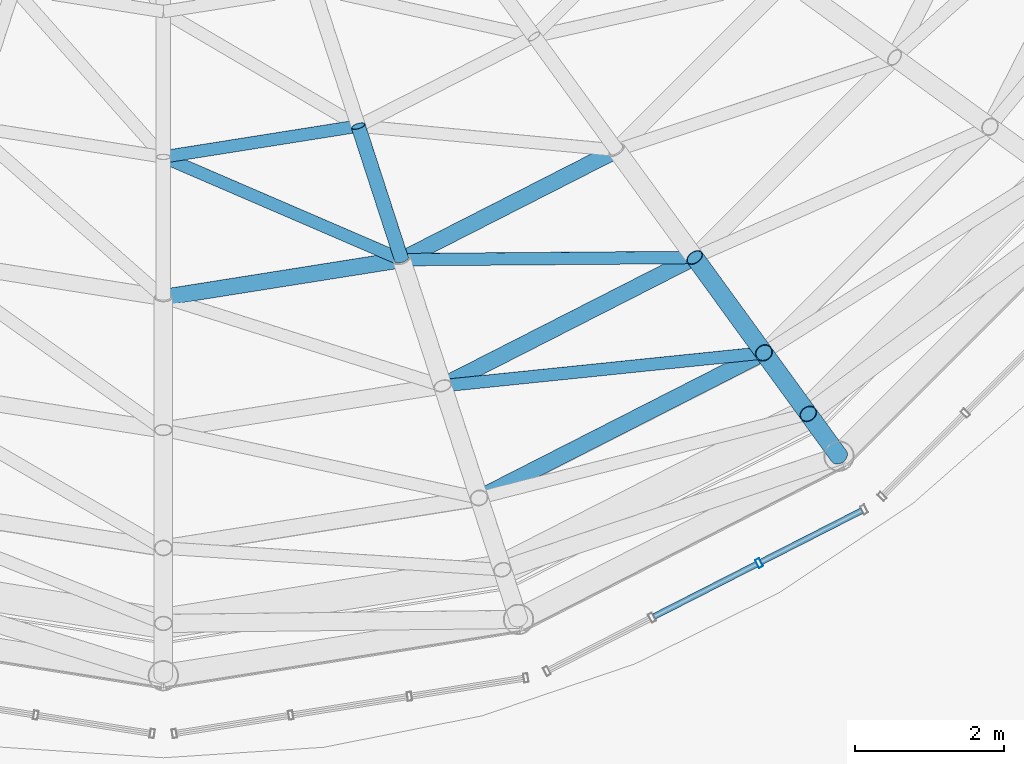
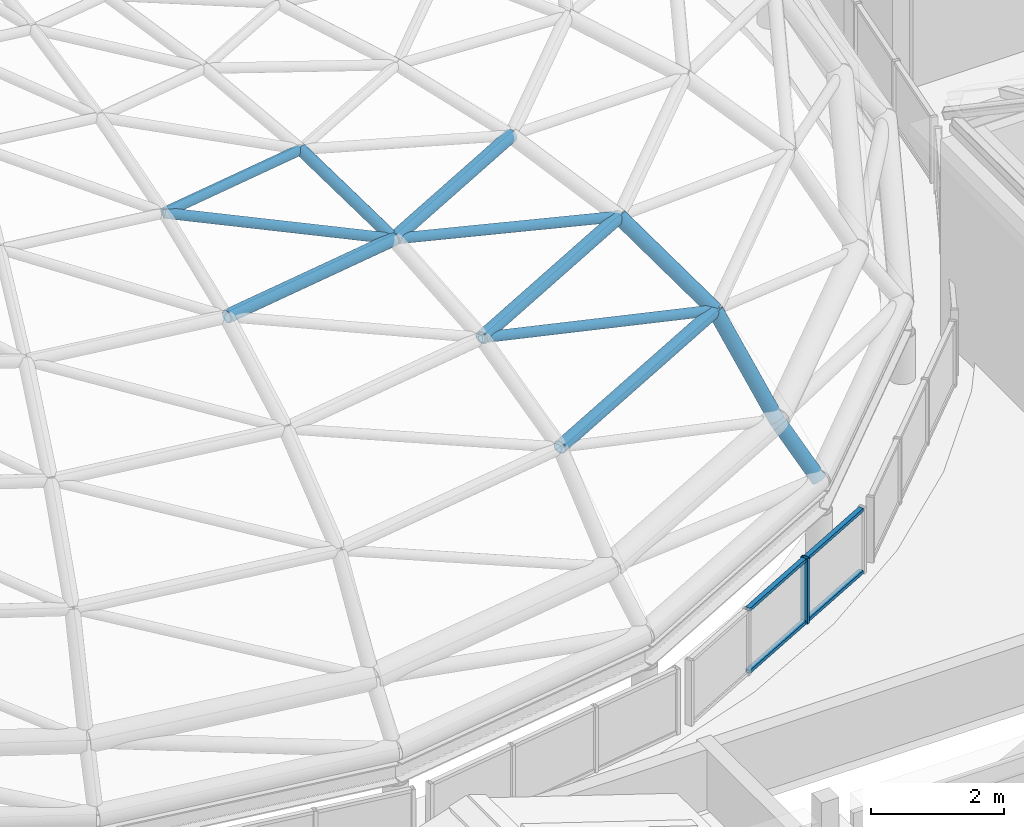
# One storey, part 19 of 69: 17 members, 1 element without a shape of its own.
"""IFC4 building model written with IfcOpenShell, lengths in metres."""

from ifc_helpers import new_model, si_unit, direction, frame, origin, origin_2d, place, context, subcontext, project, spatial, hollow_rectangle, hollow_circle, extrude, material, layer, layer_set, material_profile, profile_set, type_object, element, aggregate, save


model = new_model("IFC4")

# Units and contexts
model_context = context("Model", 3, precision=1e-05, world=origin(), true_north=direction((0.0, 1.0)))
body_context = subcontext(model_context, "Body", "Model", "MODEL_VIEW")
ifc_project = project(units=[si_unit("LENGTHUNIT", "METRE"), si_unit("AREAUNIT", "SQUARE_METRE"), si_unit("VOLUMEUNIT", "CUBIC_METRE"), si_unit("PLANEANGLEUNIT", "RADIAN"), si_unit("MASSUNIT", "GRAM", prefix="KILO")], contexts=[model_context])

# Site, building, storey
site_placement = place(None, origin())
site = spatial("IfcSite", under=ifc_project, at=site_placement, CompositionType="ELEMENT")
building_placement = place(site_placement, origin())
building = spatial("IfcBuilding", under=site, at=building_placement, Name="Kallimachos Central Library", CompositionType="ELEMENT")
storey_placement = place(building_placement, frame((0.0, 0.0, 23.39990234375)))
storey = spatial("IfcBuildingStorey", under=building, at=storey_placement, Name="L05", CompositionType="ELEMENT", Elevation=23.39990234375)

# Members
ifc_material_1 = material(Name="Steel S355J2H", Category="steel")
ifc_material_profile_1 = material_profile(ifc_material_1, hollow_circle(Radius=0.084228515625, WallThickness=0.008056640625, at=origin_2d()), Name="CHS 168.3x8")
ifc_profile_set_1 = profile_set([ifc_material_profile_1], Name="Steel S355J2H")
member_type_1 = type_object("IfcMemberType", Name="CHS 168.3x8 dome diagonal", PredefinedType="BRACE", material=ifc_profile_set_1)
member_1_placement = place(storey_placement, frame((88.0, 95.94970703125, 7.008544921875), z_axis=(0.89711828597, -0.386752783017, -0.213544060577), x_axis=(0.395884478525, 0.918300321062, 0.0)))
element("IfcMember", 1, at=member_1_placement, inside=storey, type_object=member_type_1, Name="Dome diagonal DD-3-15", PredefinedType="BRACE", context=body_context, shape_type="SweptSolid", body=[
    extrude(hollow_circle(Radius=0.084228515625, WallThickness=0.008056640625, at=origin_2d()), origin(), (0.0, 0.0, 1.0), 3.55908203125),
])
member_2_placement = place(storey_placement, frame((91.19287109375, 94.5732421875, 6.24853515625), z_axis=(0.970172108515, 0.007483288222, -0.242301630735), x_axis=(-0.007713132086, 0.999970253354, 0.0)))
element("IfcMember", 2, at=member_2_placement, inside=storey, type_object=member_type_1, Name="Dome diagonal DD-4-16", PredefinedType="BRACE", context=body_context, shape_type="SweptSolid", body=[
    extrude(hollow_circle(Radius=0.084228515625, WallThickness=0.008056640625, at=origin_2d()), origin(), (0.0, 0.0, 1.0), 4.04541015625),
])
member_3_placement = place(storey_placement, frame((91.741943359375, 92.883544921875, 5.268310546875), z_axis=(0.954541770957, 0.097939201614, -0.281527832169), x_axis=(-0.102067520228, 0.994777473265, 0.0)))
element("IfcMember", 3, at=member_3_placement, inside=storey, type_object=member_type_1, Name="Dome diagonal DD-5-16", PredefinedType="BRACE", context=body_context, shape_type="SweptSolid", body=[
    extrude(hollow_circle(Radius=0.084228515625, WallThickness=0.008056640625, at=origin_2d()), origin(), (0.0, 0.0, 1.0), 4.509521484375),
])
ifc_material_2 = material(Name="Steel S355J2H", Category="steel")
ifc_material_profile_2 = material_profile(ifc_material_2, hollow_circle(Radius=0.084228515625, WallThickness=0.008056640625, at=origin_2d()), Name="CHS 168.3x8")
ifc_profile_set_2 = profile_set([ifc_material_profile_2], Name="Steel S355J2H")
member_type_2 = type_object("IfcMemberType", Name="CHS 168.3x8 dome ring", PredefinedType="PURLIN", material=ifc_profile_set_2)
member_4_placement = place(storey_placement, frame((88.0, 95.94970703125, 7.008544921875), z_axis=(0.987689481603, 0.15642726083, 0.0), x_axis=(-0.15642726083, 0.987689481603, 0.0)))
element("IfcMember", 4, at=member_4_placement, inside=storey, type_object=member_type_2, Name="Dome ring DN-3-15", PredefinedType="PURLIN", context=body_context, shape_type="SweptSolid", body=[
    extrude(hollow_circle(Radius=0.084228515625, WallThickness=0.008056640625, at=origin_2d()), origin(), (0.0, 0.0, 1.0), 2.643798828125),
])
ifc_material_3 = material(Name="Steel S355J2H", Category="steel")
ifc_material_profile_3 = material_profile(ifc_material_3, hollow_circle(Radius=0.096923828125, WallThickness=0.010009765625, at=origin_2d()), Name="CHS 193.7x10")
ifc_profile_set_3 = profile_set([ifc_material_profile_3], Name="Steel S355J2H")
member_type_3 = type_object("IfcMemberType", Name="CHS 193.7x10 dome rib", PredefinedType="RAFTER", material=ifc_profile_set_3)
member_5_placement = place(storey_placement, frame((90.611328125, 96.36328125, 7.008544921875), z_axis=(0.286504025632, -0.881883927765, -0.374427805119), x_axis=(0.951068379711, 0.308980480151, 0.0)))
element("IfcMember", 5, at=member_5_placement, inside=storey, type_object=member_type_3, Name="Dome rib DR-3-16", PredefinedType="RAFTER", context=body_context, shape_type="SweptSolid", body=[
    extrude(hollow_circle(Radius=0.096923828125, WallThickness=0.010009765625, at=origin_2d()), origin(), (0.0, 0.0, 1.0), 2.02978515625),
])
ifc_material_4 = material(Name="Steel S355J2H", Category="steel")
ifc_material_profile_4 = material_profile(ifc_material_4, hollow_circle(Radius=0.109619140625, WallThickness=0.012451171875, at=origin_2d()), Name="CHS 219.1x12.5")
ifc_profile_set_4 = profile_set([ifc_material_profile_4], Name="Steel S355J2H")
member_type_4 = type_object("IfcMemberType", Name="CHS 219.1x12.5 dome ring", PredefinedType="PURLIN", material=ifc_profile_set_4)
for number, where, z_axis, x_axis, name in (
    (6, (88.0, 94.0673828125, 6.24853515625), (0.987680774655, 0.156482227029, 0.0), (-0.156482227029, 0.987680774655, 0.0), "Dome ring DN-4-15"),
    (7, (91.19287109375, 94.5732421875, 6.24853515625), (0.891018171034, 0.453967640794, 0.0), (-0.453967640794, 0.891018171034, 0.0), "Dome ring DN-4-16"),
):
    element("IfcMember", number, at=place(storey_placement, frame(where, z_axis=z_axis, x_axis=x_axis)), inside=storey, type_object=member_type_4, Name=name, PredefinedType="PURLIN", context=body_context, shape_type="SweptSolid", body=[
        extrude(hollow_circle(Radius=0.109619140625, WallThickness=0.012451171875, at=origin_2d()), origin(), (0.0, 0.0, 1.0), 3.232666015625),
    ])
member_6_placement = place(storey_placement, frame((91.741943359375, 92.883544921875, 5.268310546875), z_axis=(0.891011956133, 0.45397983879, 0.0), x_axis=(-0.45397983879, 0.891011956133, 0.0)))
element("IfcMember", 8, at=member_6_placement, inside=storey, type_object=member_type_4, Name="Dome ring DN-5-16", PredefinedType="PURLIN", context=body_context, shape_type="SweptSolid", body=[
    extrude(hollow_circle(Radius=0.109619140625, WallThickness=0.012451171875, at=origin_2d()), origin(), (0.0, 0.0, 1.0), 3.78857421875),
])
member_7_placement = place(storey_placement, frame((92.230224609375, 91.380859375, 3.998779296875), z_axis=(0.891015569784, 0.453972746322, 0.0), x_axis=(-0.453972746322, 0.891015569784, 0.0)))
element("IfcMember", 9, at=member_7_placement, inside=storey, type_object=member_type_4, Name="Dome ring DN-6-16", PredefinedType="PURLIN", context=body_context, shape_type="SweptSolid", body=[
    extrude(hollow_circle(Radius=0.109619140625, WallThickness=0.012451171875, at=origin_2d()), origin(), (0.0, 0.0, 1.0), 4.282958984375),
])
ifc_material_5 = material(Name="Steel S355J2H", Category="steel")
ifc_material_profile_5 = material_profile(ifc_material_5, hollow_circle(Radius=0.122314453125, WallThickness=0.012451171875, at=origin_2d()), Name="CHS 244.5x12.5")
ifc_profile_set_5 = profile_set([ifc_material_profile_5], Name="Steel S355J2H")
member_type_5 = type_object("IfcMemberType", Name="CHS 244.5x12.5 dome rib", PredefinedType="RAFTER", material=ifc_profile_set_5)
member_8_placement = place(storey_placement, frame((95.11767578125, 94.603515625, 5.268310546875), z_axis=(0.458193176773, -0.630678095054, -0.626341882024), x_axis=(0.809029975545, 0.58776738483, 0.0)))
element("IfcMember", 10, at=member_8_placement, inside=storey, type_object=member_type_5, Name="Dome rib DR-5-17", PredefinedType="RAFTER", context=body_context, shape_type="SweptSolid", body=[
    extrude(hollow_circle(Radius=0.122314453125, WallThickness=0.012451171875, at=origin_2d()), origin(), (0.0, 0.0, 1.0), 2.02685546875),
])
member_9_placement = place(storey_placement, frame((96.04638671875, 93.3251953125, 3.998779296875), z_axis=(0.297630119581, -0.409684862505, -0.862307732398), x_axis=(0.809038926726, 0.587755063817, 0.0)))
element("IfcMember", 11, at=member_9_placement, inside=storey, type_object=member_type_5, Name="Dome rib DR-6-17", PredefinedType="RAFTER", context=body_context, shape_type="SweptSolid", body=[
    extrude(hollow_circle(Radius=0.122314453125, WallThickness=0.012451171875, at=origin_2d()), origin(), (0.0, 0.0, 1.0), 1.995849609375),
])
member_10_placement = place(storey_placement, frame((96.640380859375, 92.507568359375, 2.27783203125), z_axis=(0.361005557434, -0.49675735068, -0.789244652847), x_axis=(0.80894712746, 0.587881403835, 0.0)))
element("IfcMember", 12, at=member_10_placement, inside=storey, type_object=member_type_5, Name="Dome rib DR-7-17", PredefinedType="RAFTER", context=body_context, shape_type="SweptSolid", body=[
    extrude(hollow_circle(Radius=0.122314453125, WallThickness=0.012451171875, at=origin_2d()), origin(), (0.0, 0.0, 1.0), 1.14013671875),
])

# Curtain wall, members
ifc_material_6 = material(Name="Anodised aluminium and laminated glass", Category="aluminium")
ifc_layer = layer(ifc_material_6, 0.159912109375)
ifc_layer_set = layer_set([ifc_layer], Name="Glass box curtain wall")
curtain_wall_type = type_object("IfcCurtainWallType", Name="Glass box curtain wall", PredefinedType="NOTDEFINED", material=ifc_layer_set)
curtain_wall_placement = place(storey_placement, origin())
curtain_wall = element("IfcCurtainWall", 13, at=curtain_wall_placement, inside=storey, type_object=curtain_wall_type, Name="Drum clerestory facet 17", PredefinedType="NOTDEFINED")
ifc_material_7 = material(Name="Anodised aluminium", Category="aluminium")
ifc_material_profile_6 = material_profile(ifc_material_7, hollow_rectangle(XDim=0.06005859375, YDim=0.1201171875, WallThickness=0.00390625, at=origin_2d()), Name="ALU MULLION 60x120")
ifc_profile_set_6 = profile_set([ifc_material_profile_6], Name="Anodised aluminium")
member_type_6 = type_object("IfcMemberType", Name="Glass box mullion 60x120", PredefinedType="MULLION", material=ifc_profile_set_6)
member_11_placement = place(storey_placement, frame((95.98095703125, 90.50927734375, 0.0), z_axis=(0.0, 0.0, 1.0), x_axis=(0.891006369337, 0.453990803653, 0.0)))
member_11 = element("IfcMember", 14, at=member_11_placement, type_object=member_type_6, Name="CW51 mullion 3", PredefinedType="MULLION", context=body_context, shape_type="SweptSolid", body=[
    extrude(hollow_rectangle(XDim=0.06005859375, YDim=0.1201171875, WallThickness=0.00390625, at=origin_2d()), origin(), (0.0, 0.0, 1.0), 1.2001953125),
])
ifc_material_8 = material(Name="Anodised aluminium", Category="aluminium")
ifc_material_profile_7 = material_profile(ifc_material_8, hollow_rectangle(XDim=0.06005859375, YDim=0.080078125, WallThickness=0.00390625, at=origin_2d()), Name="ALU TRANSOM 60x80")
ifc_profile_set_7 = profile_set([ifc_material_profile_7], Name="Anodised aluminium")
member_type_7 = type_object("IfcMemberType", Name="Glass box transom 60x80", PredefinedType="USERDEFINED", material=ifc_profile_set_7)
member_12_placement = place(storey_placement, frame((94.573486328125, 89.792236328125, 0.030029296875), z_axis=(0.891029877091, 0.453944664173, 0.0), x_axis=(0.0, 0.0, 1.0)))
member_12 = element("IfcMember", 15, at=member_12_placement, type_object=member_type_7, Name="CW51 transom 2.1", ObjectType="TRANSOM", PredefinedType="USERDEFINED", context=body_context, shape_type="SweptSolid", body=[
    extrude(hollow_rectangle(XDim=0.06005859375, YDim=0.080078125, WallThickness=0.00390625, at=origin_2d()), origin(), (0.0, 0.0, 1.0), 1.549560546875),
])
member_13_placement = place(storey_placement, frame((94.573486328125, 89.792236328125, 1.170166015625), z_axis=(0.891029877091, 0.453944664173, 0.0), x_axis=(0.0, 0.0, 1.0)))
member_13 = element("IfcMember", 16, at=member_13_placement, type_object=member_type_7, Name="CW51 transom 2.2", ObjectType="TRANSOM", PredefinedType="USERDEFINED", context=body_context, shape_type="SweptSolid", body=[
    extrude(hollow_rectangle(XDim=0.06005859375, YDim=0.080078125, WallThickness=0.00390625, at=origin_2d()), origin(), (0.0, 0.0, 1.0), 1.549560546875),
])
member_14_placement = place(storey_placement, frame((96.007568359375, 90.52294921875, 0.030029296875), z_axis=(0.891027233573, 0.453949852992, 0.0), x_axis=(0.0, 0.0, 1.0)))
member_14 = element("IfcMember", 17, at=member_14_placement, type_object=member_type_7, Name="CW51 transom 3.1", ObjectType="TRANSOM", PredefinedType="USERDEFINED", context=body_context, shape_type="SweptSolid", body=[
    extrude(hollow_rectangle(XDim=0.06005859375, YDim=0.080078125, WallThickness=0.00390625, at=origin_2d()), origin(), (0.0, 0.0, 1.0), 1.519287109375),
])
member_15_placement = place(storey_placement, frame((96.007568359375, 90.52294921875, 1.170166015625), z_axis=(0.891027233573, 0.453949852992, 0.0), x_axis=(0.0, 0.0, 1.0)))
member_15 = element("IfcMember", 18, at=member_15_placement, type_object=member_type_7, Name="CW51 transom 3.2", ObjectType="TRANSOM", PredefinedType="USERDEFINED", context=body_context, shape_type="SweptSolid", body=[
    extrude(hollow_rectangle(XDim=0.06005859375, YDim=0.080078125, WallThickness=0.00390625, at=origin_2d()), origin(), (0.0, 0.0, 1.0), 1.519287109375),
])
aggregate(curtain_wall, [member_11, member_12, member_13, member_14, member_15])

save(model, "model.ifc")
